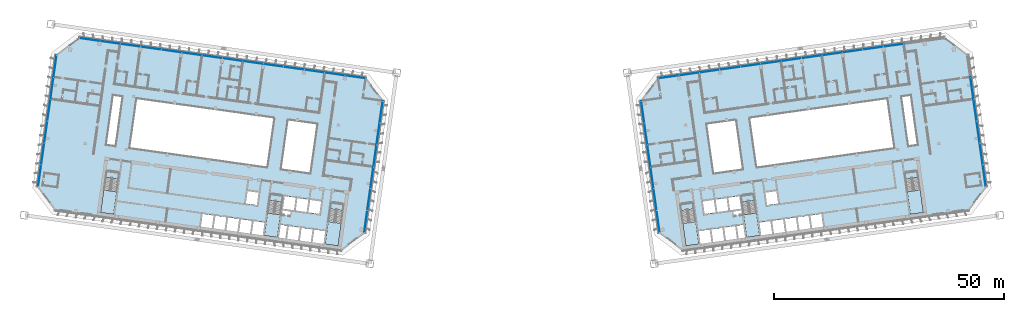
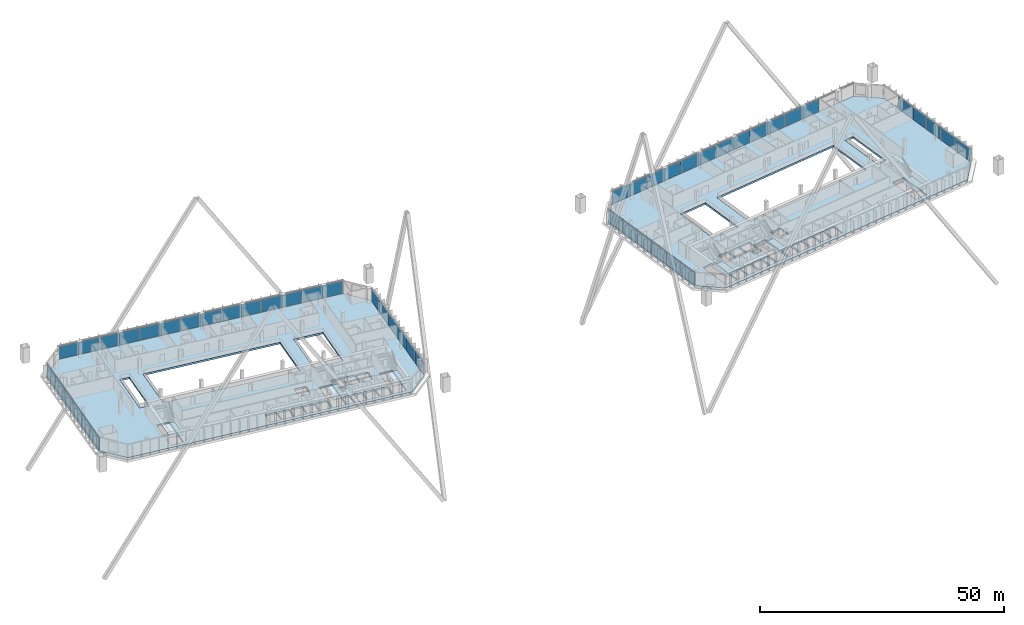
# One storey, part 28 of 41: 49 plates, 8 slabs, 12 elements without a shape of their own.
"""IFC4 building model written with IfcOpenShell, lengths in metres."""

from ifc_helpers import new_model, si_unit, direction, frame, origin, origin_2d, place, context, subcontext, project, spatial, polyline, rectangle, outline, extrude, material, layer, layer_set, type_object, element, aggregate, save


model = new_model("IFC4")

# Units and contexts
model_context = context("Model", 3, precision=1e-05, world=origin(), true_north=direction((0.0, 1.0)))
body_context = subcontext(model_context, "Body", "Model", "MODEL_VIEW")
ifc_project = project(units=[si_unit("LENGTHUNIT", "METRE"), si_unit("AREAUNIT", "SQUARE_METRE"), si_unit("VOLUMEUNIT", "CUBIC_METRE"), si_unit("PLANEANGLEUNIT", "RADIAN"), si_unit("MASSUNIT", "GRAM", prefix="KILO")], contexts=[model_context])

# Site, building, storey
site_placement = place(None, origin())
site = spatial("IfcSite", under=ifc_project, at=site_placement, CompositionType="ELEMENT")
building_placement = place(site_placement, origin())
building = spatial("IfcBuilding", under=site, at=building_placement, Name="Mirante Cascada Hotel Towers", CompositionType="ELEMENT")
storey_placement = place(building_placement, frame((0.0, 0.0, 125.3)))
storey = spatial("IfcBuildingStorey", under=building, at=storey_placement, Name="L28", CompositionType="ELEMENT", Elevation=125.3)

# Curtain wall, plates
ifc_material_1 = material(Name="Aluminium mullion and transom frame with clear laminated glass", Category="aluminium")
curtain_wall_type_1 = type_object("IfcCurtainWallType", Name="Ribbon curtain wall ECW1", PredefinedType="NOTDEFINED", material=ifc_material_1)
curtain_wall_1_placement = place(storey_placement, origin())
curtain_wall_1 = element("IfcCurtainWall", 1, at=curtain_wall_1_placement, inside=storey, type_object=curtain_wall_type_1, Name="Front ribbon wall T1 L28", PredefinedType="NOTDEFINED")
ifc_material_2 = material(Name="Clear laminated glass", Category="glass")
ifc_layer_1 = layer(ifc_material_2, 0.036)
ifc_layer_set_1 = layer_set([ifc_layer_1], Name="ECW1 glass panel 36")
plate_type_1 = type_object("IfcPlateType", Name="ECW1 glass panel 36", PredefinedType="CURTAIN_PANEL", material=ifc_layer_set_1)
plate_1_placement = place(storey_placement, frame((-91.9184, 25.7373, 0.1), z_axis=(0.0, 0.0, 1.0), x_axis=(0.9902681, -0.1391731, 0.0)))
plate_1 = element("IfcPlate", 2, at=plate_1_placement, type_object=plate_type_1, Name="ECW1 panel 1", PredefinedType="CURTAIN_PANEL", context=body_context, shape_type="SweptSolid", body=[
    extrude(rectangle(XDim=4.3936, YDim=0.036, at=origin_2d()), origin(), (0.0, 0.0, 1.0), 3.15),
])
plate_2_placement = place(storey_placement, frame((-87.487, 25.1145, 0.1), z_axis=(0.0, 0.0, 1.0), x_axis=(0.9902681, -0.1391731, 0.0)))
plate_2 = element("IfcPlate", 3, at=plate_2_placement, type_object=plate_type_1, Name="ECW1 panel 2", PredefinedType="CURTAIN_PANEL", context=body_context, shape_type="SweptSolid", body=[
    extrude(rectangle(XDim=4.4261, YDim=0.036, at=origin_2d()), origin(), (0.0, 0.0, 1.0), 3.15),
])
plate_3_placement = place(storey_placement, frame((-83.0396, 24.4895, 0.1), z_axis=(0.0, 0.0, 1.0), x_axis=(0.9902681, -0.1391731, 0.0)))
plate_3 = element("IfcPlate", 4, at=plate_3_placement, type_object=plate_type_1, Name="ECW1 panel 3", PredefinedType="CURTAIN_PANEL", context=body_context, shape_type="SweptSolid", body=[
    extrude(rectangle(XDim=4.4261, YDim=0.036, at=origin_2d()), origin(), (0.0, 0.0, 1.0), 3.15),
])
plate_4_placement = place(storey_placement, frame((-78.5922, 23.8644, 0.1), z_axis=(0.0, 0.0, 1.0), x_axis=(0.9902681, -0.1391731, 0.0)))
plate_4 = element("IfcPlate", 5, at=plate_4_placement, type_object=plate_type_1, Name="ECW1 panel 4", PredefinedType="CURTAIN_PANEL", context=body_context, shape_type="SweptSolid", body=[
    extrude(rectangle(XDim=4.4261, YDim=0.036, at=origin_2d()), origin(), (0.0, 0.0, 1.0), 3.15),
])
plate_5_placement = place(storey_placement, frame((-74.1448, 23.2394, 0.1), z_axis=(0.0, 0.0, 1.0), x_axis=(0.9902681, -0.1391731, 0.0)))
plate_5 = element("IfcPlate", 6, at=plate_5_placement, type_object=plate_type_1, Name="ECW1 panel 5", PredefinedType="CURTAIN_PANEL", context=body_context, shape_type="SweptSolid", body=[
    extrude(rectangle(XDim=4.4261, YDim=0.036, at=origin_2d()), origin(), (0.0, 0.0, 1.0), 3.15),
])
plate_6_placement = place(storey_placement, frame((-69.6974, 22.6144, 0.1), z_axis=(0.0, 0.0, 1.0), x_axis=(0.9902681, -0.1391731, 0.0)))
plate_6 = element("IfcPlate", 7, at=plate_6_placement, type_object=plate_type_1, Name="ECW1 panel 6", PredefinedType="CURTAIN_PANEL", context=body_context, shape_type="SweptSolid", body=[
    extrude(rectangle(XDim=4.4261, YDim=0.036, at=origin_2d()), origin(), (0.0, 0.0, 1.0), 3.15),
])
plate_7_placement = place(storey_placement, frame((-65.2499, 21.9893, 0.1), z_axis=(0.0, 0.0, 1.0), x_axis=(0.9902681, -0.1391731, 0.0)))
plate_7 = element("IfcPlate", 8, at=plate_7_placement, type_object=plate_type_1, Name="ECW1 panel 7", PredefinedType="CURTAIN_PANEL", context=body_context, shape_type="SweptSolid", body=[
    extrude(rectangle(XDim=4.4261, YDim=0.036, at=origin_2d()), origin(), (0.0, 0.0, 1.0), 3.15),
])
plate_8_placement = place(storey_placement, frame((-60.8025, 21.3643, 0.1), z_axis=(0.0, 0.0, 1.0), x_axis=(0.9902681, -0.1391731, 0.0)))
plate_8 = element("IfcPlate", 9, at=plate_8_placement, type_object=plate_type_1, Name="ECW1 panel 8", PredefinedType="CURTAIN_PANEL", context=body_context, shape_type="SweptSolid", body=[
    extrude(rectangle(XDim=4.4261, YDim=0.036, at=origin_2d()), origin(), (0.0, 0.0, 1.0), 3.15),
])
plate_9_placement = place(storey_placement, frame((-56.3551, 20.7392, 0.1), z_axis=(0.0, 0.0, 1.0), x_axis=(0.9902681, -0.1391731, 0.0)))
plate_9 = element("IfcPlate", 10, at=plate_9_placement, type_object=plate_type_1, Name="ECW1 panel 9", PredefinedType="CURTAIN_PANEL", context=body_context, shape_type="SweptSolid", body=[
    extrude(rectangle(XDim=4.4261, YDim=0.036, at=origin_2d()), origin(), (0.0, 0.0, 1.0), 3.15),
])
plate_10_placement = place(storey_placement, frame((-51.9077, 20.1142, 0.1), z_axis=(0.0, 0.0, 1.0), x_axis=(0.9902681, -0.1391731, 0.0)))
plate_10 = element("IfcPlate", 11, at=plate_10_placement, type_object=plate_type_1, Name="ECW1 panel 10", PredefinedType="CURTAIN_PANEL", context=body_context, shape_type="SweptSolid", body=[
    extrude(rectangle(XDim=4.4261, YDim=0.036, at=origin_2d()), origin(), (0.0, 0.0, 1.0), 3.15),
])
plate_11_placement = place(storey_placement, frame((-47.4603, 19.4891, 0.1), z_axis=(0.0, 0.0, 1.0), x_axis=(0.9902681, -0.1391731, 0.0)))
plate_11 = element("IfcPlate", 12, at=plate_11_placement, type_object=plate_type_1, Name="ECW1 panel 11", PredefinedType="CURTAIN_PANEL", context=body_context, shape_type="SweptSolid", body=[
    extrude(rectangle(XDim=4.4261, YDim=0.036, at=origin_2d()), origin(), (0.0, 0.0, 1.0), 3.15),
])
plate_12_placement = place(storey_placement, frame((-43.0129, 18.8641, 0.1), z_axis=(0.0, 0.0, 1.0), x_axis=(0.9902681, -0.1391731, 0.0)))
plate_12 = element("IfcPlate", 13, at=plate_12_placement, type_object=plate_type_1, Name="ECW1 panel 12", PredefinedType="CURTAIN_PANEL", context=body_context, shape_type="SweptSolid", body=[
    extrude(rectangle(XDim=4.4261, YDim=0.036, at=origin_2d()), origin(), (0.0, 0.0, 1.0), 3.15),
])
plate_13_placement = place(storey_placement, frame((-38.5654, 18.239, 0.1), z_axis=(0.0, 0.0, 1.0), x_axis=(0.9902681, -0.1391731, 0.0)))
plate_13 = element("IfcPlate", 14, at=plate_13_placement, type_object=plate_type_1, Name="ECW1 panel 13", PredefinedType="CURTAIN_PANEL", context=body_context, shape_type="SweptSolid", body=[
    extrude(rectangle(XDim=4.4261, YDim=0.036, at=origin_2d()), origin(), (0.0, 0.0, 1.0), 3.15),
])
plate_14_placement = place(storey_placement, frame((-34.1341, 17.6163, 0.1), z_axis=(0.0, 0.0, 1.0), x_axis=(0.9902681, -0.1391731, 0.0)))
plate_14 = element("IfcPlate", 15, at=plate_14_placement, type_object=plate_type_1, Name="ECW1 panel 14", PredefinedType="CURTAIN_PANEL", context=body_context, shape_type="SweptSolid", body=[
    extrude(rectangle(XDim=4.3936, YDim=0.036, at=origin_2d()), origin(), (0.0, 0.0, 1.0), 3.15),
])
aggregate(curtain_wall_1, [plate_1, plate_2, plate_3, plate_4, plate_5, plate_6, plate_7, plate_8, plate_9, plate_10, plate_11, plate_12, plate_13, plate_14])

curtain_wall_2_placement = place(storey_placement, origin())
curtain_wall_2 = element("IfcCurtainWall", 16, at=curtain_wall_2_placement, inside=storey, type_object=curtain_wall_type_1, Name="Front ribbon wall T2 L28", PredefinedType="NOTDEFINED")
plate_15_placement = place(storey_placement, frame((83.0396, 24.4895, 0.1), z_axis=(0.0, 0.0, 1.0), x_axis=(-0.9902681, -0.1391731, 0.0)))
plate_15 = element("IfcPlate", 17, at=plate_15_placement, type_object=plate_type_1, Name="ECW1 panel 3", PredefinedType="CURTAIN_PANEL", context=body_context, shape_type="SweptSolid", body=[
    extrude(rectangle(XDim=4.4261, YDim=0.036, at=origin_2d()), origin(), (0.0, 0.0, 1.0), 3.15),
])
plate_16_placement = place(storey_placement, frame((78.5922, 23.8644, 0.1), z_axis=(0.0, 0.0, 1.0), x_axis=(-0.9902681, -0.1391731, 0.0)))
plate_16 = element("IfcPlate", 18, at=plate_16_placement, type_object=plate_type_1, Name="ECW1 panel 4", PredefinedType="CURTAIN_PANEL", context=body_context, shape_type="SweptSolid", body=[
    extrude(rectangle(XDim=4.4261, YDim=0.036, at=origin_2d()), origin(), (0.0, 0.0, 1.0), 3.15),
])
plate_17_placement = place(storey_placement, frame((74.1448, 23.2394, 0.1), z_axis=(0.0, 0.0, 1.0), x_axis=(-0.9902681, -0.1391731, 0.0)))
plate_17 = element("IfcPlate", 19, at=plate_17_placement, type_object=plate_type_1, Name="ECW1 panel 5", PredefinedType="CURTAIN_PANEL", context=body_context, shape_type="SweptSolid", body=[
    extrude(rectangle(XDim=4.4261, YDim=0.036, at=origin_2d()), origin(), (0.0, 0.0, 1.0), 3.15),
])
plate_18_placement = place(storey_placement, frame((69.6974, 22.6144, 0.1), z_axis=(0.0, 0.0, 1.0), x_axis=(-0.9902681, -0.1391731, 0.0)))
plate_18 = element("IfcPlate", 20, at=plate_18_placement, type_object=plate_type_1, Name="ECW1 panel 6", PredefinedType="CURTAIN_PANEL", context=body_context, shape_type="SweptSolid", body=[
    extrude(rectangle(XDim=4.4261, YDim=0.036, at=origin_2d()), origin(), (0.0, 0.0, 1.0), 3.15),
])
plate_19_placement = place(storey_placement, frame((65.2499, 21.9893, 0.1), z_axis=(0.0, 0.0, 1.0), x_axis=(-0.9902681, -0.1391731, 0.0)))
plate_19 = element("IfcPlate", 21, at=plate_19_placement, type_object=plate_type_1, Name="ECW1 panel 7", PredefinedType="CURTAIN_PANEL", context=body_context, shape_type="SweptSolid", body=[
    extrude(rectangle(XDim=4.4261, YDim=0.036, at=origin_2d()), origin(), (0.0, 0.0, 1.0), 3.15),
])
plate_20_placement = place(storey_placement, frame((60.8025, 21.3643, 0.1), z_axis=(0.0, 0.0, 1.0), x_axis=(-0.9902681, -0.1391731, 0.0)))
plate_20 = element("IfcPlate", 22, at=plate_20_placement, type_object=plate_type_1, Name="ECW1 panel 8", PredefinedType="CURTAIN_PANEL", context=body_context, shape_type="SweptSolid", body=[
    extrude(rectangle(XDim=4.4261, YDim=0.036, at=origin_2d()), origin(), (0.0, 0.0, 1.0), 3.15),
])
plate_21_placement = place(storey_placement, frame((56.3551, 20.7392, 0.1), z_axis=(0.0, 0.0, 1.0), x_axis=(-0.9902681, -0.1391731, 0.0)))
plate_21 = element("IfcPlate", 23, at=plate_21_placement, type_object=plate_type_1, Name="ECW1 panel 9", PredefinedType="CURTAIN_PANEL", context=body_context, shape_type="SweptSolid", body=[
    extrude(rectangle(XDim=4.4261, YDim=0.036, at=origin_2d()), origin(), (0.0, 0.0, 1.0), 3.15),
])
plate_22_placement = place(storey_placement, frame((51.9077, 20.1142, 0.1), z_axis=(0.0, 0.0, 1.0), x_axis=(-0.9902681, -0.1391731, 0.0)))
plate_22 = element("IfcPlate", 24, at=plate_22_placement, type_object=plate_type_1, Name="ECW1 panel 10", PredefinedType="CURTAIN_PANEL", context=body_context, shape_type="SweptSolid", body=[
    extrude(rectangle(XDim=4.4261, YDim=0.036, at=origin_2d()), origin(), (0.0, 0.0, 1.0), 3.15),
])
plate_23_placement = place(storey_placement, frame((47.4603, 19.4891, 0.1), z_axis=(0.0, 0.0, 1.0), x_axis=(-0.9902681, -0.1391731, 0.0)))
plate_23 = element("IfcPlate", 25, at=plate_23_placement, type_object=plate_type_1, Name="ECW1 panel 11", PredefinedType="CURTAIN_PANEL", context=body_context, shape_type="SweptSolid", body=[
    extrude(rectangle(XDim=4.4261, YDim=0.036, at=origin_2d()), origin(), (0.0, 0.0, 1.0), 3.15),
])
plate_24_placement = place(storey_placement, frame((43.0129, 18.8641, 0.1), z_axis=(0.0, 0.0, 1.0), x_axis=(-0.9902681, -0.1391731, 0.0)))
plate_24 = element("IfcPlate", 26, at=plate_24_placement, type_object=plate_type_1, Name="ECW1 panel 12", PredefinedType="CURTAIN_PANEL", context=body_context, shape_type="SweptSolid", body=[
    extrude(rectangle(XDim=4.4261, YDim=0.036, at=origin_2d()), origin(), (0.0, 0.0, 1.0), 3.15),
])
plate_25_placement = place(storey_placement, frame((38.5654, 18.239, 0.1), z_axis=(0.0, 0.0, 1.0), x_axis=(-0.9902681, -0.1391731, 0.0)))
plate_25 = element("IfcPlate", 27, at=plate_25_placement, type_object=plate_type_1, Name="ECW1 panel 13", PredefinedType="CURTAIN_PANEL", context=body_context, shape_type="SweptSolid", body=[
    extrude(rectangle(XDim=4.4261, YDim=0.036, at=origin_2d()), origin(), (0.0, 0.0, 1.0), 3.15),
])
plate_26_placement = place(storey_placement, frame((34.1341, 17.6163, 0.1), z_axis=(0.0, 0.0, 1.0), x_axis=(-0.9902681, -0.1391731, 0.0)))
plate_26 = element("IfcPlate", 28, at=plate_26_placement, type_object=plate_type_1, Name="ECW1 panel 14", PredefinedType="CURTAIN_PANEL", context=body_context, shape_type="SweptSolid", body=[
    extrude(rectangle(XDim=4.3936, YDim=0.036, at=origin_2d()), origin(), (0.0, 0.0, 1.0), 3.15),
])
aggregate(curtain_wall_2, [plate_15, plate_16, plate_17, plate_18, plate_19, plate_20, plate_21, plate_22, plate_23, plate_24, plate_25, plate_26])

ifc_material_3 = material(Name="Aluminium mullion and transom frame with clear laminated glass", Category="aluminium")
curtain_wall_type_2 = type_object("IfcCurtainWallType", Name="End ribbon curtain wall ECW2", PredefinedType="NOTDEFINED", material=ifc_material_3)
curtain_wall_3_placement = place(storey_placement, origin())
curtain_wall_3 = element("IfcCurtainWall", 29, at=curtain_wall_3_placement, inside=storey, type_object=curtain_wall_type_2, Name="Inner end wall T1 L28", PredefinedType="NOTDEFINED")
ifc_material_4 = material(Name="Clear laminated glass", Category="glass")
ifc_layer_2 = layer(ifc_material_4, 0.034)
ifc_layer_set_2 = layer_set([ifc_layer_2], Name="ECW2 glass panel 34")
plate_type_2 = type_object("IfcPlateType", Name="ECW2 glass panel 34", PredefinedType="CURTAIN_PANEL", material=ifc_layer_set_2)
plate_27_placement = place(storey_placement, frame((-28.4763, 9.9193, 0.1), z_axis=(0.0, 0.0, 1.0), x_axis=(-0.1391731, -0.9902681, 0.0)))
plate_27 = element("IfcPlate", 30, at=plate_27_placement, type_object=plate_type_2, Name="ECW2 panel 1", PredefinedType="CURTAIN_PANEL", context=body_context, shape_type="SweptSolid", body=[
    extrude(rectangle(XDim=4.7151, YDim=0.034, at=origin_2d()), origin(), (0.0, 0.0, 1.0), 3.15),
])
plate_28_placement = place(storey_placement, frame((-29.1439, 5.1696, 0.1), z_axis=(0.0, 0.0, 1.0), x_axis=(-0.1391731, -0.9902681, 0.0)))
plate_28 = element("IfcPlate", 31, at=plate_28_placement, type_object=plate_type_2, Name="ECW2 panel 2", PredefinedType="CURTAIN_PANEL", context=body_context, shape_type="SweptSolid", body=[
    extrude(rectangle(XDim=4.7476, YDim=0.034, at=origin_2d()), origin(), (0.0, 0.0, 1.0), 3.15),
])
plate_29_placement = place(storey_placement, frame((-29.8136, 0.4038, 0.1), z_axis=(0.0, 0.0, 1.0), x_axis=(-0.1391731, -0.9902681, 0.0)))
plate_29 = element("IfcPlate", 32, at=plate_29_placement, type_object=plate_type_2, Name="ECW2 panel 3", PredefinedType="CURTAIN_PANEL", context=body_context, shape_type="SweptSolid", body=[
    extrude(rectangle(XDim=4.7476, YDim=0.034, at=origin_2d()), origin(), (0.0, 0.0, 1.0), 3.15),
])
plate_30_placement = place(storey_placement, frame((-30.4834, -4.362, 0.1), z_axis=(0.0, 0.0, 1.0), x_axis=(-0.1391731, -0.9902681, 0.0)))
plate_30 = element("IfcPlate", 33, at=plate_30_placement, type_object=plate_type_2, Name="ECW2 panel 4", PredefinedType="CURTAIN_PANEL", context=body_context, shape_type="SweptSolid", body=[
    extrude(rectangle(XDim=4.7476, YDim=0.034, at=origin_2d()), origin(), (0.0, 0.0, 1.0), 3.15),
])
plate_31_placement = place(storey_placement, frame((-31.1532, -9.1278, 0.1), z_axis=(0.0, 0.0, 1.0), x_axis=(-0.1391731, -0.9902681, 0.0)))
plate_31 = element("IfcPlate", 34, at=plate_31_placement, type_object=plate_type_2, Name="ECW2 panel 5", PredefinedType="CURTAIN_PANEL", context=body_context, shape_type="SweptSolid", body=[
    extrude(rectangle(XDim=4.7476, YDim=0.034, at=origin_2d()), origin(), (0.0, 0.0, 1.0), 3.15),
])
plate_32_placement = place(storey_placement, frame((-31.8207, -13.8775, 0.1), z_axis=(0.0, 0.0, 1.0), x_axis=(-0.1391731, -0.9902681, 0.0)))
plate_32 = element("IfcPlate", 35, at=plate_32_placement, type_object=plate_type_2, Name="ECW2 panel 6", PredefinedType="CURTAIN_PANEL", context=body_context, shape_type="SweptSolid", body=[
    extrude(rectangle(XDim=4.7151, YDim=0.034, at=origin_2d()), origin(), (0.0, 0.0, 1.0), 3.15),
])
aggregate(curtain_wall_3, [plate_27, plate_28, plate_29, plate_30, plate_31, plate_32])

curtain_wall_4_placement = place(storey_placement, origin())
curtain_wall_4 = element("IfcCurtainWall", 36, at=curtain_wall_4_placement, inside=storey, type_object=curtain_wall_type_2, Name="Outer end wall T1 L28", PredefinedType="NOTDEFINED")
plate_33_placement = place(storey_placement, frame((-102.823, -3.8988, 0.1), z_axis=(0.0, 0.0, 1.0), x_axis=(0.1391731, 0.9902681, 0.0)))
plate_33 = element("IfcPlate", 37, at=plate_33_placement, type_object=plate_type_2, Name="ECW2 panel 1", PredefinedType="CURTAIN_PANEL", context=body_context, shape_type="SweptSolid", body=[
    extrude(rectangle(XDim=4.7151, YDim=0.034, at=origin_2d()), origin(), (0.0, 0.0, 1.0), 3.15),
])
plate_34_placement = place(storey_placement, frame((-101.4857, 5.6167, 0.1), z_axis=(0.0, 0.0, 1.0), x_axis=(0.1391731, 0.9902681, 0.0)))
plate_34 = element("IfcPlate", 38, at=plate_34_placement, type_object=plate_type_2, Name="ECW2 panel 3", PredefinedType="CURTAIN_PANEL", context=body_context, shape_type="SweptSolid", body=[
    extrude(rectangle(XDim=4.7476, YDim=0.034, at=origin_2d()), origin(), (0.0, 0.0, 1.0), 3.15),
])
plate_35_placement = place(storey_placement, frame((-100.8159, 10.3825, 0.1), z_axis=(0.0, 0.0, 1.0), x_axis=(0.1391731, 0.9902681, 0.0)))
plate_35 = element("IfcPlate", 39, at=plate_35_placement, type_object=plate_type_2, Name="ECW2 panel 4", PredefinedType="CURTAIN_PANEL", context=body_context, shape_type="SweptSolid", body=[
    extrude(rectangle(XDim=4.7476, YDim=0.034, at=origin_2d()), origin(), (0.0, 0.0, 1.0), 3.15),
])
plate_36_placement = place(storey_placement, frame((-99.4786, 19.898, 0.1), z_axis=(0.0, 0.0, 1.0), x_axis=(0.1391731, 0.9902681, 0.0)))
plate_36 = element("IfcPlate", 40, at=plate_36_placement, type_object=plate_type_2, Name="ECW2 panel 6", PredefinedType="CURTAIN_PANEL", context=body_context, shape_type="SweptSolid", body=[
    extrude(rectangle(XDim=4.7151, YDim=0.034, at=origin_2d()), origin(), (0.0, 0.0, 1.0), 3.15),
])

curtain_wall_5_placement = place(storey_placement, origin())
curtain_wall_5 = element("IfcCurtainWall", 41, at=curtain_wall_5_placement, inside=storey, type_object=curtain_wall_type_2, Name="Inner end wall T2 L28", PredefinedType="NOTDEFINED")
plate_37_placement = place(storey_placement, frame((28.4763, 9.9193, 0.1), z_axis=(0.0, 0.0, 1.0), x_axis=(0.1391731, -0.9902681, 0.0)))
plate_37 = element("IfcPlate", 42, at=plate_37_placement, type_object=plate_type_2, Name="ECW2 panel 1", PredefinedType="CURTAIN_PANEL", context=body_context, shape_type="SweptSolid", body=[
    extrude(rectangle(XDim=4.7151, YDim=0.034, at=origin_2d()), origin(), (0.0, 0.0, 1.0), 3.15),
])
plate_38_placement = place(storey_placement, frame((29.1439, 5.1696, 0.1), z_axis=(0.0, 0.0, 1.0), x_axis=(0.1391731, -0.9902681, 0.0)))
plate_38 = element("IfcPlate", 43, at=plate_38_placement, type_object=plate_type_2, Name="ECW2 panel 2", PredefinedType="CURTAIN_PANEL", context=body_context, shape_type="SweptSolid", body=[
    extrude(rectangle(XDim=4.7476, YDim=0.034, at=origin_2d()), origin(), (0.0, 0.0, 1.0), 3.15),
])
plate_39_placement = place(storey_placement, frame((29.8136, 0.4038, 0.1), z_axis=(0.0, 0.0, 1.0), x_axis=(0.1391731, -0.9902681, 0.0)))
plate_39 = element("IfcPlate", 44, at=plate_39_placement, type_object=plate_type_2, Name="ECW2 panel 3", PredefinedType="CURTAIN_PANEL", context=body_context, shape_type="SweptSolid", body=[
    extrude(rectangle(XDim=4.7476, YDim=0.034, at=origin_2d()), origin(), (0.0, 0.0, 1.0), 3.15),
])
plate_40_placement = place(storey_placement, frame((30.4834, -4.362, 0.1), z_axis=(0.0, 0.0, 1.0), x_axis=(0.1391731, -0.9902681, 0.0)))
plate_40 = element("IfcPlate", 45, at=plate_40_placement, type_object=plate_type_2, Name="ECW2 panel 4", PredefinedType="CURTAIN_PANEL", context=body_context, shape_type="SweptSolid", body=[
    extrude(rectangle(XDim=4.7476, YDim=0.034, at=origin_2d()), origin(), (0.0, 0.0, 1.0), 3.15),
])
plate_41_placement = place(storey_placement, frame((31.1532, -9.1278, 0.1), z_axis=(0.0, 0.0, 1.0), x_axis=(0.1391731, -0.9902681, 0.0)))
plate_41 = element("IfcPlate", 46, at=plate_41_placement, type_object=plate_type_2, Name="ECW2 panel 5", PredefinedType="CURTAIN_PANEL", context=body_context, shape_type="SweptSolid", body=[
    extrude(rectangle(XDim=4.7476, YDim=0.034, at=origin_2d()), origin(), (0.0, 0.0, 1.0), 3.15),
])
plate_42_placement = place(storey_placement, frame((31.8207, -13.8775, 0.1), z_axis=(0.0, 0.0, 1.0), x_axis=(0.1391731, -0.9902681, 0.0)))
plate_42 = element("IfcPlate", 47, at=plate_42_placement, type_object=plate_type_2, Name="ECW2 panel 6", PredefinedType="CURTAIN_PANEL", context=body_context, shape_type="SweptSolid", body=[
    extrude(rectangle(XDim=4.7151, YDim=0.034, at=origin_2d()), origin(), (0.0, 0.0, 1.0), 3.15),
])
aggregate(curtain_wall_5, [plate_37, plate_38, plate_39, plate_40, plate_41, plate_42])

curtain_wall_6_placement = place(storey_placement, origin())
curtain_wall_6 = element("IfcCurtainWall", 48, at=curtain_wall_6_placement, inside=storey, type_object=curtain_wall_type_2, Name="Outer end wall T2 L28", PredefinedType="NOTDEFINED")
plate_43_placement = place(storey_placement, frame((102.823, -3.8988, 0.1), z_axis=(0.0, 0.0, 1.0), x_axis=(-0.1391731, 0.9902681, 0.0)))
plate_43 = element("IfcPlate", 49, at=plate_43_placement, type_object=plate_type_2, Name="ECW2 panel 1", PredefinedType="CURTAIN_PANEL", context=body_context, shape_type="SweptSolid", body=[
    extrude(rectangle(XDim=4.7151, YDim=0.034, at=origin_2d()), origin(), (0.0, 0.0, 1.0), 3.15),
])
plate_44_placement = place(storey_placement, frame((101.4857, 5.6167, 0.1), z_axis=(0.0, 0.0, 1.0), x_axis=(-0.1391731, 0.9902681, 0.0)))
plate_44 = element("IfcPlate", 50, at=plate_44_placement, type_object=plate_type_2, Name="ECW2 panel 3", PredefinedType="CURTAIN_PANEL", context=body_context, shape_type="SweptSolid", body=[
    extrude(rectangle(XDim=4.7476, YDim=0.034, at=origin_2d()), origin(), (0.0, 0.0, 1.0), 3.15),
])
plate_45_placement = place(storey_placement, frame((100.8159, 10.3825, 0.1), z_axis=(0.0, 0.0, 1.0), x_axis=(-0.1391731, 0.9902681, 0.0)))
plate_45 = element("IfcPlate", 51, at=plate_45_placement, type_object=plate_type_2, Name="ECW2 panel 4", PredefinedType="CURTAIN_PANEL", context=body_context, shape_type="SweptSolid", body=[
    extrude(rectangle(XDim=4.7476, YDim=0.034, at=origin_2d()), origin(), (0.0, 0.0, 1.0), 3.15),
])

# Plate
ifc_material_5 = material(Name="Insulated aluminium spandrel panel", Category="aluminium")
ifc_layer_3 = layer(ifc_material_5, 0.034)
ifc_layer_set_3 = layer_set([ifc_layer_3], Name="ECW2 spandrel panel 34")
plate_type_3 = type_object("IfcPlateType", Name="ECW2 spandrel panel 34", PredefinedType="CURTAIN_PANEL", material=ifc_layer_set_3)
plate_46_placement = place(storey_placement, frame((-102.1554, 0.8509, 0.1), z_axis=(0.0, 0.0, 1.0), x_axis=(0.1391731, 0.9902681, 0.0)))
plate_46 = element("IfcPlate", 52, at=plate_46_placement, type_object=plate_type_3, Name="ECW2 panel 2", PredefinedType="CURTAIN_PANEL", context=body_context, shape_type="SweptSolid", body=[
    extrude(rectangle(XDim=4.7476, YDim=0.034, at=origin_2d()), origin(), (0.0, 0.0, 1.0), 3.15),
])

plate_47_placement = place(storey_placement, frame((-100.1461, 15.1483, 0.1), z_axis=(0.0, 0.0, 1.0), x_axis=(0.1391731, 0.9902681, 0.0)))
plate_47 = element("IfcPlate", 53, at=plate_47_placement, type_object=plate_type_3, Name="ECW2 panel 5", PredefinedType="CURTAIN_PANEL", context=body_context, shape_type="SweptSolid", body=[
    extrude(rectangle(XDim=4.7476, YDim=0.034, at=origin_2d()), origin(), (0.0, 0.0, 1.0), 3.15),
])

aggregate(curtain_wall_4, [plate_33, plate_46, plate_34, plate_35, plate_47, plate_36])

plate_48_placement = place(storey_placement, frame((102.1554, 0.8509, 0.1), z_axis=(0.0, 0.0, 1.0), x_axis=(-0.1391731, 0.9902681, 0.0)))
plate_48 = element("IfcPlate", 54, at=plate_48_placement, type_object=plate_type_3, Name="ECW2 panel 2", PredefinedType="CURTAIN_PANEL", context=body_context, shape_type="SweptSolid", body=[
    extrude(rectangle(XDim=4.7476, YDim=0.034, at=origin_2d()), origin(), (0.0, 0.0, 1.0), 3.15),
])

plate_49_placement = place(storey_placement, frame((100.1461, 15.1483, 0.1), z_axis=(0.0, 0.0, 1.0), x_axis=(-0.1391731, 0.9902681, 0.0)))
plate_49 = element("IfcPlate", 55, at=plate_49_placement, type_object=plate_type_3, Name="ECW2 panel 5", PredefinedType="CURTAIN_PANEL", context=body_context, shape_type="SweptSolid", body=[
    extrude(rectangle(XDim=4.7476, YDim=0.034, at=origin_2d()), origin(), (0.0, 0.0, 1.0), 3.15),
])

aggregate(curtain_wall_6, [plate_43, plate_48, plate_44, plate_45, plate_49])

# Stair, slab
ifc_material_6 = material(Name="Concrete C35/45", Category="concrete")
stair_type = type_object("IfcStairType", Name="Exit stair half-turn 1350 concrete C35/45", PredefinedType="HALF_TURN_STAIR", material=ifc_material_6)
stair_1_placement = place(storey_placement, origin())
stair_1 = element("IfcStair", 56, at=stair_1_placement, inside=storey, type_object=stair_type, Name="L28 Exit stair A", PredefinedType="HALF_TURN_STAIR")
ifc_material_7 = material(Name="Concrete C35/45", Category="concrete")
ifc_layer_4 = layer(ifc_material_7, 0.2)
ifc_layer_set_4 = layer_set([ifc_layer_4], Name="Exit stair landing 200 concrete C35/45")
slab_type_1 = type_object("IfcSlabType", Name="Exit stair landing 200 concrete C35/45", PredefinedType="LANDING", material=ifc_layer_set_4)
slab_1_placement = place(storey_placement, frame((0.0, 0.0, 1.7)))
slab_1 = element("IfcSlab", 57, at=slab_1_placement, type_object=slab_type_1, Name="ST1-A landing 1", PredefinedType="LANDING", context=body_context, shape_type="SweptSolid", body=[
    extrude(outline(polyline([(-39.9987, -13.8659), (-40.6887, -18.7757), (-37.8665, -19.1723), (-37.1765, -14.2626), (-39.9987, -13.8659)])), origin(), (0.0, 0.0, 1.0), 0.2),
])
aggregate(stair_1, [slab_1])

stair_2_placement = place(storey_placement, origin())
stair_2 = element("IfcStair", 58, at=stair_2_placement, inside=storey, type_object=stair_type, Name="L28 Exit stair B", PredefinedType="HALF_TURN_STAIR")
slab_2_placement = place(storey_placement, frame((0.0, 0.0, 1.7)))
slab_2 = element("IfcSlab", 59, at=slab_2_placement, type_object=slab_type_1, Name="ST1-B landing 1", PredefinedType="LANDING", context=body_context, shape_type="SweptSolid", body=[
    extrude(outline(polyline([(-53.2188, -12.008), (-53.9088, -16.9177), (-51.0866, -17.3144), (-50.3965, -12.4046), (-53.2188, -12.008)])), origin(), (0.0, 0.0, 1.0), 0.2),
])
aggregate(stair_2, [slab_2])

stair_3_placement = place(storey_placement, origin())
stair_3 = element("IfcStair", 60, at=stair_3_placement, inside=storey, type_object=stair_type, Name="L28 Exit stair C", PredefinedType="HALF_TURN_STAIR")
slab_3_placement = place(storey_placement, frame((0.0, 0.0, 1.7)))
slab_3 = element("IfcSlab", 61, at=slab_3_placement, type_object=slab_type_1, Name="ST1-C landing 1", PredefinedType="LANDING", context=body_context, shape_type="SweptSolid", body=[
    extrude(outline(polyline([(-88.8685, -6.9977), (-89.5585, -11.9075), (-86.7362, -12.3041), (-86.0462, -7.3944), (-88.8685, -6.9977)])), origin(), (0.0, 0.0, 1.0), 0.2),
])
aggregate(stair_3, [slab_3])

stair_4_placement = place(storey_placement, origin())
stair_4 = element("IfcStair", 62, at=stair_4_placement, inside=storey, type_object=stair_type, Name="L28 Exit stair A", PredefinedType="HALF_TURN_STAIR")
slab_4_placement = place(storey_placement, frame((0.0, 0.0, 1.7)))
slab_4 = element("IfcSlab", 63, at=slab_4_placement, type_object=slab_type_1, Name="ST2-A landing 1", PredefinedType="LANDING", context=body_context, shape_type="SweptSolid", body=[
    extrude(outline(polyline([(37.1765, -14.2626), (37.8665, -19.1723), (40.6887, -18.7757), (39.9987, -13.8659), (37.1765, -14.2626)])), origin(), (0.0, 0.0, 1.0), 0.2),
])
aggregate(stair_4, [slab_4])

stair_5_placement = place(storey_placement, origin())
stair_5 = element("IfcStair", 64, at=stair_5_placement, inside=storey, type_object=stair_type, Name="L28 Exit stair B", PredefinedType="HALF_TURN_STAIR")
slab_5_placement = place(storey_placement, frame((0.0, 0.0, 1.7)))
slab_5 = element("IfcSlab", 65, at=slab_5_placement, type_object=slab_type_1, Name="ST2-B landing 1", PredefinedType="LANDING", context=body_context, shape_type="SweptSolid", body=[
    extrude(outline(polyline([(50.3965, -12.4046), (51.0866, -17.3144), (53.9088, -16.9177), (53.2188, -12.008), (50.3965, -12.4046)])), origin(), (0.0, 0.0, 1.0), 0.2),
])
aggregate(stair_5, [slab_5])

stair_6_placement = place(storey_placement, origin())
stair_6 = element("IfcStair", 66, at=stair_6_placement, inside=storey, type_object=stair_type, Name="L28 Exit stair C", PredefinedType="HALF_TURN_STAIR")
slab_6_placement = place(storey_placement, frame((0.0, 0.0, 1.7)))
slab_6 = element("IfcSlab", 67, at=slab_6_placement, type_object=slab_type_1, Name="ST2-C landing 1", PredefinedType="LANDING", context=body_context, shape_type="SweptSolid", body=[
    extrude(outline(polyline([(86.0462, -7.3944), (86.7362, -12.3041), (89.5585, -11.9075), (88.8685, -6.9977), (86.0462, -7.3944)])), origin(), (0.0, 0.0, 1.0), 0.2),
])
aggregate(stair_6, [slab_6])

# Slabs
ifc_material_8 = material(Name="Concrete C40/50", Category="concrete")
ifc_layer_5 = layer(ifc_material_8, 0.45)
ifc_layer_set_5 = layer_set([ifc_layer_5], Name="Post-tensioned flat plate 450 Concrete C40/50")
slab_type_2 = type_object("IfcSlabType", Name="Post-tensioned flat plate 450 Concrete C40/50", PredefinedType="FLOOR", material=ifc_layer_set_5)
slab_7_placement = place(storey_placement, frame((0.0, 0.0, -0.45)))
element("IfcSlab", 68, at=slab_7_placement, inside=storey, type_object=slab_type_2, Name="Floor T1 L28", PredefinedType="FLOOR", context=body_context, shape_type="SweptSolid", body=[
    extrude(outline(polyline([(-32.018, -16.3589), (-27.982, 12.3589), (-31.8119, 17.4414), (-94.1988, 26.2093), (-99.2813, 22.3794), (-103.3173, -6.3384), (-99.4874, -11.4209), (-37.1005, -20.1888), (-32.018, -16.3589)]), holes=[polyline([(-43.0718, -15.6132), (-40.5961, -15.9612), (-40.9858, -18.7339), (-43.4615, -18.386), (-43.0718, -15.6132)]), polyline([(-45.8446, -15.2236), (-43.3689, -15.5715), (-43.7586, -18.3442), (-46.2342, -17.9963), (-45.8446, -15.2236)]), polyline([(-48.6173, -14.8339), (-46.1416, -15.1818), (-46.5313, -17.9546), (-49.007, -17.6066), (-48.6173, -14.8339)]), polyline([(-50.3998, -14.5834), (-48.9144, -14.7921), (-49.3041, -17.5649), (-50.7895, -17.3561), (-50.3998, -14.5834)]), polyline([(-36.7887, -11.5037), (-37.8665, -19.1723), (-40.6887, -18.7757), (-39.611, -11.107), (-36.7887, -11.5037)]), polyline([(-49.9544, -11.4145), (-48.1472, -11.6685), (-48.2829, -12.634), (-50.0901, -12.38), (-49.9544, -11.4145)]), polyline([(-43.9775, -9.124), (-41.5018, -9.472), (-41.8915, -12.2447), (-44.3672, -11.8968), (-43.9775, -9.124)]), polyline([(-47.1399, -11.5071), (-46.7503, -8.7344), (-44.2746, -9.0823), (-44.6643, -11.855), (-47.1399, -11.5071)]), polyline([(-49.9127, -11.1174), (-49.523, -8.3447), (-47.0473, -8.6926), (-47.437, -11.4654), (-49.9127, -11.1174)]), polyline([(-56.2919, -13.7553), (-53.8162, -14.1032), (-54.2059, -16.876), (-56.6816, -16.528), (-56.2919, -13.7553)]), polyline([(-59.0646, -13.3656), (-56.589, -13.7135), (-56.9787, -16.4863), (-59.4543, -16.1383), (-59.0646, -13.3656)]), polyline([(-61.8374, -12.9759), (-59.3617, -13.3238), (-59.7514, -16.0966), (-62.2271, -15.7487), (-61.8374, -12.9759)]), polyline([(-64.6101, -12.5862), (-62.1345, -12.9342), (-62.5242, -15.7069), (-64.9998, -15.359), (-64.6101, -12.5862)]), polyline([(-67.3829, -12.1965), (-64.9072, -12.5445), (-65.2969, -15.3172), (-67.7726, -14.9693), (-67.3829, -12.1965)]), polyline([(-50.0088, -9.6457), (-51.0866, -17.3144), (-53.9088, -16.9177), (-52.8311, -9.2491), (-50.0088, -9.6457)]), polyline([(-85.6585, -4.6355), (-86.7362, -12.3041), (-89.5585, -11.9075), (-88.4807, -4.2388), (-85.6585, -4.6355)]), polyline([(-57.9834, -9.9832), (-57.5937, -7.2104), (-55.118, -7.5583), (-55.5077, -10.3311), (-57.9834, -9.9832)]), polyline([(-86.873, 13.6677), (-84.7325, 13.3668), (-84.7325, 13.3668), (-86.2634, 2.4739), (-86.2634, 2.4739), (-88.4039, 2.7747), (-86.873, 13.6677)]), polyline([(-51.7318, 8.7289), (-53.2627, -2.1641), (-53.2627, -2.1641), (-83.2906, 2.0561), (-83.2906, 2.0561), (-81.7597, 12.949), (-81.7597, 12.949), (-51.7318, 8.7289)]), polyline([(-42.3109, 7.4049), (-43.8418, -3.4881), (-50.2899, -2.5818), (-50.2899, -2.5818), (-48.759, 8.3111), (-42.3109, 7.4049)])]), origin(), (0.0, 0.0, 1.0), 0.45),
])
slab_8_placement = place(storey_placement, frame((0.0, 0.0, -0.45)))
element("IfcSlab", 69, at=slab_8_placement, inside=storey, type_object=slab_type_2, Name="Floor T2 L28", PredefinedType="FLOOR", context=body_context, shape_type="SweptSolid", body=[
    extrude(outline(polyline([(32.018, -16.3589), (27.982, 12.3589), (31.8119, 17.4414), (94.1988, 26.2093), (99.2813, 22.3794), (103.3173, -6.3384), (99.4874, -11.4209), (37.1005, -20.1888), (32.018, -16.3589)]), holes=[polyline([(43.0718, -15.6132), (40.5961, -15.9612), (40.9858, -18.7339), (43.4615, -18.386), (43.0718, -15.6132)]), polyline([(45.8446, -15.2236), (43.3689, -15.5715), (43.7586, -18.3442), (46.2342, -17.9963), (45.8446, -15.2236)]), polyline([(48.6173, -14.8339), (46.1416, -15.1818), (46.5313, -17.9546), (49.007, -17.6066), (48.6173, -14.8339)]), polyline([(50.3998, -14.5834), (48.9144, -14.7921), (49.3041, -17.5649), (50.7895, -17.3561), (50.3998, -14.5834)]), polyline([(37.8665, -19.1723), (40.6887, -18.7757), (39.611, -11.107), (36.7887, -11.5037), (37.8665, -19.1723)]), polyline([(49.9544, -11.4145), (48.1472, -11.6685), (48.2829, -12.634), (50.0901, -12.38), (49.9544, -11.4145)]), polyline([(43.9775, -9.124), (41.5018, -9.472), (41.8915, -12.2447), (44.3672, -11.8968), (43.9775, -9.124)]), polyline([(47.1399, -11.5071), (46.7503, -8.7344), (44.2746, -9.0823), (44.6643, -11.855), (47.1399, -11.5071)]), polyline([(49.9127, -11.1174), (49.523, -8.3447), (47.0473, -8.6926), (47.437, -11.4654), (49.9127, -11.1174)]), polyline([(56.2919, -13.7553), (53.8162, -14.1032), (54.2059, -16.876), (56.6816, -16.528), (56.2919, -13.7553)]), polyline([(59.0646, -13.3656), (56.589, -13.7135), (56.9787, -16.4863), (59.4543, -16.1383), (59.0646, -13.3656)]), polyline([(61.8374, -12.9759), (59.3617, -13.3238), (59.7514, -16.0966), (62.2271, -15.7487), (61.8374, -12.9759)]), polyline([(64.6101, -12.5862), (62.1345, -12.9342), (62.5242, -15.7069), (64.9998, -15.359), (64.6101, -12.5862)]), polyline([(67.3829, -12.1965), (64.9072, -12.5445), (65.2969, -15.3172), (67.7726, -14.9693), (67.3829, -12.1965)]), polyline([(51.0866, -17.3144), (53.9088, -16.9177), (52.8311, -9.2491), (50.0088, -9.6457), (51.0866, -17.3144)]), polyline([(86.7362, -12.3041), (89.5585, -11.9075), (88.4807, -4.2388), (85.6585, -4.6355), (86.7362, -12.3041)]), polyline([(57.9834, -9.9832), (57.5937, -7.2104), (55.118, -7.5583), (55.5077, -10.3311), (57.9834, -9.9832)]), polyline([(86.873, 13.6677), (88.4039, 2.7747), (86.2634, 2.4739), (86.2634, 2.4739), (84.7325, 13.3668), (84.7325, 13.3668), (86.873, 13.6677)]), polyline([(81.7597, 12.949), (81.7597, 12.949), (83.2906, 2.0561), (83.2906, 2.0561), (53.2627, -2.1641), (53.2627, -2.1641), (51.7318, 8.7289), (81.7597, 12.949)]), polyline([(43.8418, -3.4881), (42.3109, 7.4049), (48.759, 8.3111), (50.2899, -2.5818), (50.2899, -2.5818), (43.8418, -3.4881)])]), origin(), (0.0, 0.0, 1.0), 0.45),
])

save(model, "model.ifc")
